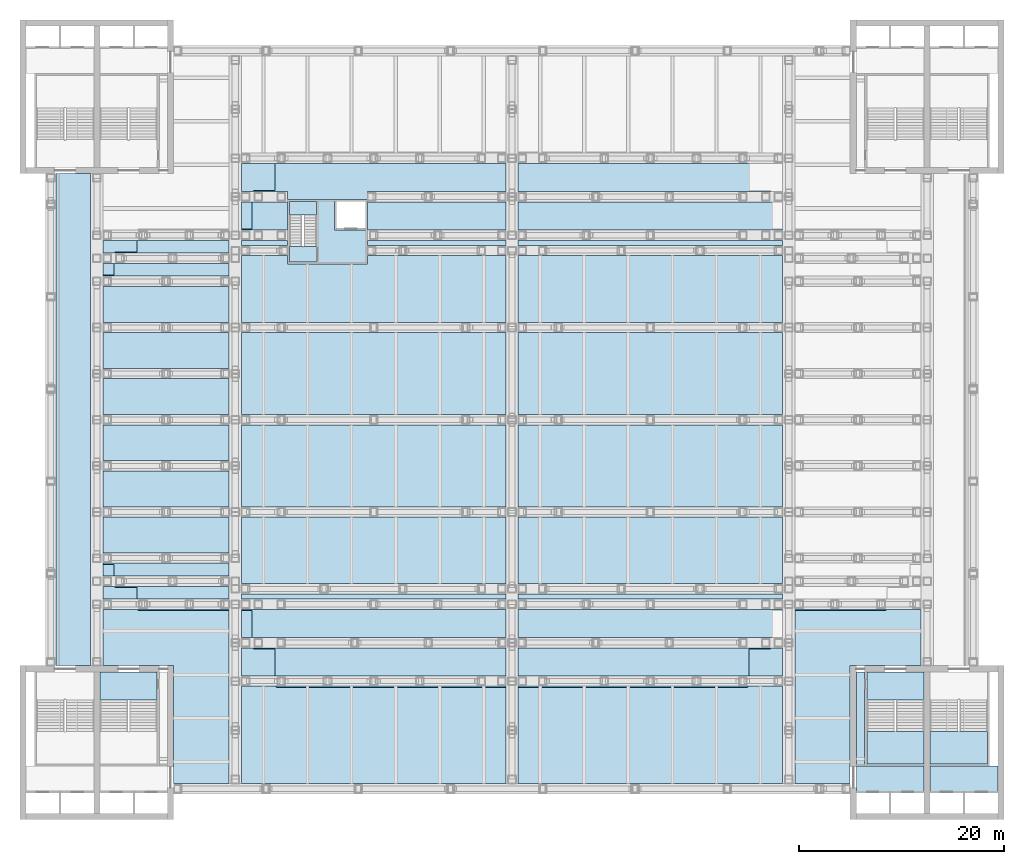
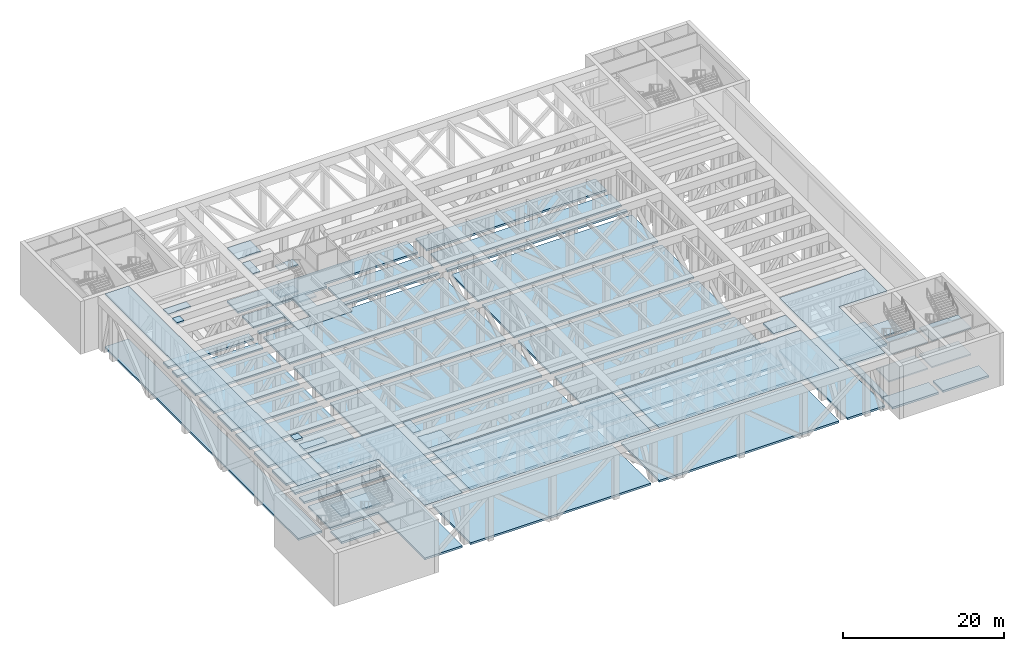
# One storey, part 6 of 20: 65 slabs, 4 elements without a shape of their own.
"""IFC4 building model written with IfcOpenShell, lengths in metres."""

from ifc_helpers import new_model, si_unit, direction, frame, origin, place, context, subcontext, project, spatial, polyline, outline, extrude, material, layer, layer_set, type_object, element, aggregate, save


model = new_model("IFC4")

# Units and contexts
model_context = context("Model", 3, precision=1e-05, world=origin(), true_north=direction((0.0, 1.0)))
body_context = subcontext(model_context, "Body", "Model", "MODEL_VIEW")
ifc_project = project(units=[si_unit("LENGTHUNIT", "METRE"), si_unit("AREAUNIT", "SQUARE_METRE"), si_unit("VOLUMEUNIT", "CUBIC_METRE"), si_unit("PLANEANGLEUNIT", "RADIAN"), si_unit("MASSUNIT", "GRAM", prefix="KILO")], contexts=[model_context])

# Site, building, storey
site_placement = place(None, origin())
site = spatial("IfcSite", under=ifc_project, at=site_placement, CompositionType="ELEMENT")
building_placement = place(site_placement, origin())
building = spatial("IfcBuilding", under=site, at=building_placement, Name="Corbelhall Arena Tower", CompositionType="ELEMENT")
storey_placement = place(building_placement, frame((0.0, 0.0, 52.0)))
storey = spatial("IfcBuildingStorey", under=building, at=storey_placement, Name="L07", CompositionType="ELEMENT", Elevation=52.0)

# Stair, slabs
ifc_material_1 = material(Name="Reinforced concrete C40/50", Category="concrete")
stair_type_1 = type_object("IfcStairType", Name="AR-EXIT-STAIR", PredefinedType="HALF_TURN_STAIR", material=ifc_material_1)
stair_1_placement = place(storey_placement, origin())
stair_1 = element("IfcStair", 1, at=stair_1_placement, inside=storey, type_object=stair_type_1, Name="L07 exit stair AS5", PredefinedType="HALF_TURN_STAIR")
ifc_layer_1 = layer(ifc_material_1, 0.199951171875)
ifc_layer_set_1 = layer_set([ifc_layer_1], Name="AR-EXIT-LANDING")
slab_type_1 = type_object("IfcSlabType", Name="AR-EXIT-LANDING", PredefinedType="LANDING", material=ifc_layer_set_1)
slab_1_placement = place(storey_placement, frame((0.0, 0.0, 1.800048828125)))
slab_1 = element("IfcSlab", 2, at=slab_1_placement, type_object=slab_type_1, Name="AS5 landing 1", PredefinedType="LANDING", context=body_context, shape_type="SweptSolid", body=[
    extrude(outline(polyline([(34.610107421875, -30.39990234375), (34.610107421875, -33.60009765625), (40.199951171875, -33.60009765625), (40.199951171875, -30.39990234375), (34.610107421875, -30.39990234375)])), origin(), (0.0, 0.0, 1.0), 0.199951171875),
])
slab_2_placement = place(storey_placement, frame((0.0, 0.0, 3.800048828125)))
slab_2 = element("IfcSlab", 3, at=slab_2_placement, type_object=slab_type_1, Name="AS5 landing 2", PredefinedType="LANDING", context=body_context, shape_type="SweptSolid", body=[
    extrude(outline(polyline([(34.610107421875, -24.60009765625), (34.610107421875, -27.320068359375), (40.199951171875, -27.320068359375), (40.199951171875, -24.60009765625), (34.610107421875, -24.60009765625)])), origin(), (0.0, 0.0, 1.0), 0.199951171875),
])
slab_3_placement = place(storey_placement, frame((0.0, 0.0, 5.800048828125)))
slab_3 = element("IfcSlab", 4, at=slab_3_placement, type_object=slab_type_1, Name="AS5 landing 3", PredefinedType="LANDING", context=body_context, shape_type="SweptSolid", body=[
    extrude(outline(polyline([(34.610107421875, -30.39990234375), (34.610107421875, -33.60009765625), (40.199951171875, -33.60009765625), (40.199951171875, -30.39990234375), (34.610107421875, -30.39990234375)])), origin(), (0.0, 0.0, 1.0), 0.199951171875),
])
aggregate(stair_1, [slab_1, slab_2, slab_3])

stair_2_placement = place(storey_placement, origin())
stair_2 = element("IfcStair", 5, at=stair_2_placement, inside=storey, type_object=stair_type_1, Name="L07 exit stair AS6", PredefinedType="HALF_TURN_STAIR")
slab_4_placement = place(storey_placement, frame((0.0, 0.0, 1.800048828125)))
slab_4 = element("IfcSlab", 6, at=slab_4_placement, type_object=slab_type_1, Name="AS6 landing 1", PredefinedType="LANDING", context=body_context, shape_type="SweptSolid", body=[
    extrude(outline(polyline([(40.800048828125, -30.39990234375), (40.800048828125, -33.60009765625), (46.389892578125, -33.60009765625), (46.389892578125, -30.39990234375), (40.800048828125, -30.39990234375)])), origin(), (0.0, 0.0, 1.0), 0.199951171875),
])
slab_5_placement = place(storey_placement, frame((0.0, 0.0, 5.800048828125)))
slab_5 = element("IfcSlab", 7, at=slab_5_placement, type_object=slab_type_1, Name="AS6 landing 3", PredefinedType="LANDING", context=body_context, shape_type="SweptSolid", body=[
    extrude(outline(polyline([(40.800048828125, -30.39990234375), (40.800048828125, -33.60009765625), (46.389892578125, -33.60009765625), (46.389892578125, -30.39990234375), (40.800048828125, -30.39990234375)])), origin(), (0.0, 0.0, 1.0), 0.199951171875),
])
aggregate(stair_2, [slab_4, slab_5])

# Stair, slab
stair_3_placement = place(storey_placement, origin())
stair_3 = element("IfcStair", 8, at=stair_3_placement, inside=storey, type_object=stair_type_1, Name="L07 exit stair AS7", PredefinedType="HALF_TURN_STAIR")
slab_6_placement = place(storey_placement, frame((0.0, 0.0, 3.800048828125)))
slab_6 = element("IfcSlab", 9, at=slab_6_placement, type_object=slab_type_1, Name="AS7 landing 2", PredefinedType="LANDING", context=body_context, shape_type="SweptSolid", body=[
    extrude(outline(polyline([(-40.199951171875, -24.60009765625), (-40.199951171875, -27.320068359375), (-34.610107421875, -27.320068359375), (-34.610107421875, -24.60009765625), (-40.199951171875, -24.60009765625)])), origin(), (0.0, 0.0, 1.0), 0.199951171875),
])
aggregate(stair_3, [slab_6])

# Slabs
ifc_layer_2 = layer(ifc_material_1, 0.300048828125)
ifc_layer_set_2 = layer_set([ifc_layer_2], Name="AR-STAIR-FLOOR")
slab_type_2 = type_object("IfcSlabType", Name="AR-STAIR-FLOOR", PredefinedType="FLOOR", material=ifc_layer_set_2)
slab_7_placement = place(storey_placement, frame((0.0, 0.0, -0.300048828125)))
element("IfcSlab", 10, at=slab_7_placement, inside=storey, type_object=slab_type_2, Name="Stair AS7 floor", PredefinedType="FLOOR", context=body_context, shape_type="SweptSolid", body=[
    extrude(outline(polyline([(-40.199951171875, -24.60009765625), (-34.610107421875, -24.60009765625), (-34.610107421875, -27.322998046875), (-40.199951171875, -27.322998046875), (-40.199951171875, -24.60009765625)])), origin(), (0.0, 0.0, 1.0), 0.300048828125),
])
slab_8_placement = place(storey_placement, frame((0.0, 0.0, -0.300048828125)))
element("IfcSlab", 11, at=slab_8_placement, inside=storey, type_object=slab_type_2, Name="Lift lobby floor SE", PredefinedType="FLOOR", context=body_context, shape_type="SweptSolid", body=[
    extrude(outline(polyline([(40.199951171875, -36.300048828125), (40.199951171875, -33.800048828125), (33.60009765625, -33.800048828125), (33.60009765625, -36.300048828125), (40.199951171875, -36.300048828125)])), origin(), (0.0, 0.0, 1.0), 0.300048828125),
])
slab_9_placement = place(storey_placement, frame((0.0, 0.0, -0.300048828125)))
element("IfcSlab", 12, at=slab_9_placement, inside=storey, type_object=slab_type_2, Name="Lift lobby floor SE", PredefinedType="FLOOR", context=body_context, shape_type="SweptSolid", body=[
    extrude(outline(polyline([(47.39990234375, -36.300048828125), (47.39990234375, -33.800048828125), (40.800048828125, -33.800048828125), (40.800048828125, -36.300048828125), (47.39990234375, -36.300048828125)])), origin(), (0.0, 0.0, 1.0), 0.300048828125),
])
slab_10_placement = place(storey_placement, frame((0.0, 0.0, -0.300048828125)))
element("IfcSlab", 13, at=slab_10_placement, inside=storey, type_object=slab_type_2, Name="Mechanical plant room 03 floor", PredefinedType="FLOOR", context=body_context, shape_type="SweptSolid", body=[
    extrude(outline(polyline([(34.409912109375, -33.699951171875), (34.409912109375, -24.60009765625), (33.60009765625, -24.60009765625), (33.60009765625, -33.699951171875), (34.409912109375, -33.699951171875)])), origin(), (0.0, 0.0, 1.0), 0.300048828125),
])
ifc_material_2 = material(Name="Concrete C40/50", Category="concrete")
ifc_layer_3 = layer(ifc_material_2, 0.300048828125)
ifc_layer_set_3 = layer_set([ifc_layer_3], Name="IN-SL-EAR")
slab_type_3 = type_object("IfcSlabType", Name="IN-SL-EAR", PredefinedType="FLOOR", material=ifc_layer_set_3)
slab_11_placement = place(storey_placement, frame((0.0, 0.0, -0.300048828125)))
element("IfcSlab", 14, at=slab_11_placement, inside=storey, type_object=slab_type_3, Name="Fire service turret floor", PredefinedType="FLOOR", context=body_context, shape_type="SweptSolid", body=[
    extrude(outline(polyline([(-21.89990234375, 15.199951171875), (-14.10009765625, 15.199951171875), (-14.10009765625, 18.5), (-17.300048828125, 18.5), (-17.300048828125, 21.5), (-21.89990234375, 21.5), (-21.89990234375, 15.199951171875)]), holes=[polyline([(-19.094970703125, 21.300048828125), (-21.695068359375, 21.300048828125), (-21.695068359375, 16.903076171875), (-19.094970703125, 16.903076171875), (-19.094970703125, 21.300048828125)])]), origin(), (0.0, 0.0, 1.0), 0.300048828125),
])

# Stair, slabs
stair_type_2 = type_object("IfcStairType", Name="IN-ST-TOWER", PredefinedType="HALF_TURN_STAIR", material=ifc_material_2)
stair_4_placement = place(storey_placement, origin())
stair_4 = element("IfcStair", 15, at=stair_4_placement, inside=storey, type_object=stair_type_2, Name="L07 Exit stair AS17", PredefinedType="HALF_TURN_STAIR")
ifc_layer_4 = layer(ifc_material_2, 0.199951171875)
ifc_layer_set_4 = layer_set([ifc_layer_4], Name="IN-SL-LANDING")
slab_type_4 = type_object("IfcSlabType", Name="IN-SL-LANDING", PredefinedType="LANDING", material=ifc_layer_set_4)
slab_12_placement = place(storey_placement, frame((0.0, 0.0, 1.800048828125)))
slab_12 = element("IfcSlab", 16, at=slab_12_placement, type_object=slab_type_4, Name="AS17 landing 1", PredefinedType="LANDING", context=body_context, shape_type="SweptSolid", body=[
    extrude(outline(polyline([(-19.094970703125, 19.97998046875), (-19.094970703125, 21.300048828125), (-21.695068359375, 21.300048828125), (-21.695068359375, 19.97998046875), (-19.094970703125, 19.97998046875)])), origin(), (0.0, 0.0, 1.0), 0.199951171875),
])
slab_13_placement = place(storey_placement, frame((0.0, 0.0, 3.800048828125)))
slab_13 = element("IfcSlab", 17, at=slab_13_placement, type_object=slab_type_4, Name="AS17 landing 2", PredefinedType="LANDING", context=body_context, shape_type="SweptSolid", body=[
    extrude(outline(polyline([(-19.094970703125, 15.39990234375), (-19.094970703125, 16.89990234375), (-21.695068359375, 16.89990234375), (-21.695068359375, 15.39990234375), (-19.094970703125, 15.39990234375)])), origin(), (0.0, 0.0, 1.0), 0.199951171875),
])
slab_14_placement = place(storey_placement, frame((0.0, 0.0, 5.800048828125)))
slab_14 = element("IfcSlab", 18, at=slab_14_placement, type_object=slab_type_4, Name="AS17 landing 3", PredefinedType="LANDING", context=body_context, shape_type="SweptSolid", body=[
    extrude(outline(polyline([(-19.094970703125, 19.97998046875), (-19.094970703125, 21.300048828125), (-21.695068359375, 21.300048828125), (-21.695068359375, 19.97998046875), (-19.094970703125, 19.97998046875)])), origin(), (0.0, 0.0, 1.0), 0.199951171875),
])
aggregate(stair_4, [slab_12, slab_13, slab_14])

# Slabs
ifc_material_3 = material(Name="Concrete C32/40", Category="concrete")
ifc_layer_5 = layer(ifc_material_3, 0.300048828125)
ifc_layer_set_5 = layer_set([ifc_layer_5], Name="PO-DECK-FLOOR")
slab_type_5 = type_object("IfcSlabType", Name="PO-DECK-FLOOR", PredefinedType="FLOOR", material=ifc_layer_set_5)
slab_15_placement = place(storey_placement, frame((0.0, 0.0, -0.300048828125)))
element("IfcSlab", 19, at=slab_15_placement, inside=storey, type_object=slab_type_5, Name="DECK MID 1", PredefinedType="FLOOR", context=body_context, shape_type="SweptSolid", body=[
    extrude(outline(polyline([(-44.5, -24.0), (-44.5, 24.0), (-41.10009765625, 24.0), (-41.10009765625, -24.0), (-44.5, -24.0)])), origin(), (0.0, 0.0, 1.0), 0.300048828125),
])
slab_16_placement = place(storey_placement, frame((0.0, 0.0, -0.300048828125)))
element("IfcSlab", 20, at=slab_16_placement, inside=storey, type_object=slab_type_5, Name="DECK MID 2", PredefinedType="FLOOR", context=body_context, shape_type="SweptSolid", body=[
    extrude(outline(polyline([(-27.60009765625, -16.25), (-27.60009765625, -17.5), (-39.89990234375, -17.5), (-39.89990234375, -16.25), (-27.60009765625, -16.25)])), origin(), (0.0, 0.0, 1.0), 0.300048828125),
])
slab_17_placement = place(storey_placement, frame((0.0, 0.0, -0.300048828125)))
element("IfcSlab", 21, at=slab_17_placement, inside=storey, type_object=slab_type_5, Name="DECK MID 3", PredefinedType="FLOOR", context=body_context, shape_type="SweptSolid", body=[
    extrude(outline(polyline([(-27.60009765625, -14.0), (-27.60009765625, -15.25), (-39.89990234375, -15.25), (-39.89990234375, -14.0), (-27.60009765625, -14.0)])), origin(), (0.0, 0.0, 1.0), 0.300048828125),
])
slab_18_placement = place(storey_placement, frame((0.0, 0.0, -0.300048828125)))
element("IfcSlab", 22, at=slab_18_placement, inside=storey, type_object=slab_type_5, Name="DECK MID 4", PredefinedType="FLOOR", context=body_context, shape_type="SweptSolid", body=[
    extrude(outline(polyline([(-27.60009765625, -9.5), (-27.60009765625, -13.0), (-39.89990234375, -13.0), (-39.89990234375, -9.5), (-27.60009765625, -9.5)])), origin(), (0.0, 0.0, 1.0), 0.300048828125),
])
slab_19_placement = place(storey_placement, frame((0.0, 0.0, -0.300048828125)))
element("IfcSlab", 23, at=slab_19_placement, inside=storey, type_object=slab_type_5, Name="DECK MID 5", PredefinedType="FLOOR", context=body_context, shape_type="SweptSolid", body=[
    extrude(outline(polyline([(-27.60009765625, -5.0), (-27.60009765625, -8.5), (-39.89990234375, -8.5), (-39.89990234375, -5.0), (-27.60009765625, -5.0)])), origin(), (0.0, 0.0, 1.0), 0.300048828125),
])
slab_20_placement = place(storey_placement, frame((0.0, 0.0, -0.300048828125)))
element("IfcSlab", 24, at=slab_20_placement, inside=storey, type_object=slab_type_5, Name="DECK MID 6", PredefinedType="FLOOR", context=body_context, shape_type="SweptSolid", body=[
    extrude(outline(polyline([(-27.60009765625, -0.5), (-27.60009765625, -4.0), (-39.89990234375, -4.0), (-39.89990234375, -0.5), (-27.60009765625, -0.5)])), origin(), (0.0, 0.0, 1.0), 0.300048828125),
])
slab_21_placement = place(storey_placement, frame((0.0, 0.0, -0.300048828125)))
element("IfcSlab", 25, at=slab_21_placement, inside=storey, type_object=slab_type_5, Name="DECK MID 7", PredefinedType="FLOOR", context=body_context, shape_type="SweptSolid", body=[
    extrude(outline(polyline([(-27.60009765625, 4.0), (-27.60009765625, 0.5), (-39.89990234375, 0.5), (-39.89990234375, 4.0), (-27.60009765625, 4.0)])), origin(), (0.0, 0.0, 1.0), 0.300048828125),
])
slab_22_placement = place(storey_placement, frame((0.0, 0.0, -0.300048828125)))
element("IfcSlab", 26, at=slab_22_placement, inside=storey, type_object=slab_type_5, Name="DECK MID 8", PredefinedType="FLOOR", context=body_context, shape_type="SweptSolid", body=[
    extrude(outline(polyline([(-27.60009765625, 8.5), (-27.60009765625, 5.0), (-39.89990234375, 5.0), (-39.89990234375, 8.5), (-27.60009765625, 8.5)])), origin(), (0.0, 0.0, 1.0), 0.300048828125),
])
slab_23_placement = place(storey_placement, frame((0.0, 0.0, -0.300048828125)))
element("IfcSlab", 27, at=slab_23_placement, inside=storey, type_object=slab_type_5, Name="DECK MID 9", PredefinedType="FLOOR", context=body_context, shape_type="SweptSolid", body=[
    extrude(outline(polyline([(-27.60009765625, 13.0), (-27.60009765625, 9.5), (-39.89990234375, 9.5), (-39.89990234375, 13.0), (-27.60009765625, 13.0)])), origin(), (0.0, 0.0, 1.0), 0.300048828125),
])
slab_24_placement = place(storey_placement, frame((0.0, 0.0, -0.300048828125)))
element("IfcSlab", 28, at=slab_24_placement, inside=storey, type_object=slab_type_5, Name="DECK MID 10", PredefinedType="FLOOR", context=body_context, shape_type="SweptSolid", body=[
    extrude(outline(polyline([(-27.60009765625, 15.25), (-27.60009765625, 14.0), (-39.89990234375, 14.0), (-39.89990234375, 15.25), (-27.60009765625, 15.25)])), origin(), (0.0, 0.0, 1.0), 0.300048828125),
])
slab_25_placement = place(storey_placement, frame((0.0, 0.0, -0.300048828125)))
element("IfcSlab", 29, at=slab_25_placement, inside=storey, type_object=slab_type_5, Name="DECK MID 11", PredefinedType="FLOOR", context=body_context, shape_type="SweptSolid", body=[
    extrude(outline(polyline([(-39.89990234375, 16.25), (-39.89990234375, 17.5), (-27.60009765625, 17.5), (-27.60009765625, 16.25), (-39.89990234375, 16.25)])), origin(), (0.0, 0.0, 1.0), 0.300048828125),
])
slab_26_placement = place(storey_placement, frame((0.0, 0.0, -0.300048828125)))
element("IfcSlab", 30, at=slab_26_placement, inside=storey, type_object=slab_type_5, Name="DECK MID 12", PredefinedType="FLOOR", context=body_context, shape_type="SweptSolid", body=[
    extrude(outline(polyline([(-27.60009765625, -18.5), (-27.60009765625, -35.5), (-33.0, -35.5), (-33.0, -24.0), (-39.89990234375, -24.0), (-39.89990234375, -18.5), (-27.60009765625, -18.5)])), origin(), (0.0, 0.0, 1.0), 0.300048828125),
])
slab_27_placement = place(storey_placement, frame((0.0, 0.0, -0.300048828125)))
element("IfcSlab", 31, at=slab_27_placement, inside=storey, type_object=slab_type_5, Name="DECK MID 14", PredefinedType="FLOOR", context=body_context, shape_type="SweptSolid", body=[
    extrude(outline(polyline([(-26.39990234375, 17.0), (-26.39990234375, 17.5), (-21.89990234375, 17.5), (-21.89990234375, 17.0), (-26.39990234375, 17.0)])), origin(), (0.0, 0.0, 1.0), 0.300048828125),
])
slab_28_placement = place(storey_placement, frame((0.0, 0.0, -0.300048828125)))
element("IfcSlab", 32, at=slab_28_placement, inside=storey, type_object=slab_type_5, Name="DECK MID 15", PredefinedType="FLOOR", context=body_context, shape_type="SweptSolid", body=[
    extrude(outline(polyline([(-26.39990234375, 18.5), (-26.39990234375, 21.25), (-21.89990234375, 21.25), (-21.89990234375, 18.5), (-26.39990234375, 18.5)])), origin(), (0.0, 0.0, 1.0), 0.300048828125),
])
slab_29_placement = place(storey_placement, frame((0.0, 0.0, -0.300048828125)))
element("IfcSlab", 33, at=slab_29_placement, inside=storey, type_object=slab_type_5, Name="DECK MID 16", PredefinedType="FLOOR", context=body_context, shape_type="SweptSolid", body=[
    extrude(outline(polyline([(-26.39990234375, 25.0), (-0.60009765625, 25.0), (-0.60009765625, 22.25), (-14.10009765625, 22.25), (-14.10009765625, 21.5), (-21.89990234375, 21.5), (-21.89990234375, 22.25), (-26.39990234375, 22.25), (-26.39990234375, 25.0)])), origin(), (0.0, 0.0, 1.0), 0.300048828125),
])
slab_30_placement = place(storey_placement, frame((0.0, 0.0, -0.300048828125)))
element("IfcSlab", 34, at=slab_30_placement, inside=storey, type_object=slab_type_5, Name="DECK MID 17", PredefinedType="FLOOR", context=body_context, shape_type="SweptSolid", body=[
    extrude(outline(polyline([(-0.60009765625, -26.0), (-0.60009765625, -35.5), (-26.39990234375, -35.5), (-26.39990234375, -26.0), (-0.60009765625, -26.0)])), origin(), (0.0, 0.0, 1.0), 0.300048828125),
])
slab_31_placement = place(storey_placement, frame((0.0, 0.0, -0.300048828125)))
element("IfcSlab", 35, at=slab_31_placement, inside=storey, type_object=slab_type_5, Name="DECK MID 18", PredefinedType="FLOOR", context=body_context, shape_type="SweptSolid", body=[
    extrude(outline(polyline([(-0.60009765625, -22.25), (-0.60009765625, -25.0), (-26.39990234375, -25.0), (-26.39990234375, -22.25), (-0.60009765625, -22.25)])), origin(), (0.0, 0.0, 1.0), 0.300048828125),
])
slab_32_placement = place(storey_placement, frame((0.0, 0.0, -0.300048828125)))
element("IfcSlab", 36, at=slab_32_placement, inside=storey, type_object=slab_type_5, Name="DECK MID 19", PredefinedType="FLOOR", context=body_context, shape_type="SweptSolid", body=[
    extrude(outline(polyline([(-0.60009765625, -18.5), (-0.60009765625, -21.25), (-26.39990234375, -21.25), (-26.39990234375, -18.5), (-0.60009765625, -18.5)])), origin(), (0.0, 0.0, 1.0), 0.300048828125),
])
slab_33_placement = place(storey_placement, frame((0.0, 0.0, -0.300048828125)))
element("IfcSlab", 37, at=slab_33_placement, inside=storey, type_object=slab_type_5, Name="DECK MID 20", PredefinedType="FLOOR", context=body_context, shape_type="SweptSolid", body=[
    extrude(outline(polyline([(-0.60009765625, -17.0), (-0.60009765625, -17.5), (-26.39990234375, -17.5), (-26.39990234375, -17.0), (-0.60009765625, -17.0)])), origin(), (0.0, 0.0, 1.0), 0.300048828125),
])
slab_34_placement = place(storey_placement, frame((0.0, 0.0, -0.300048828125)))
element("IfcSlab", 38, at=slab_34_placement, inside=storey, type_object=slab_type_5, Name="DECK MID 21", PredefinedType="FLOOR", context=body_context, shape_type="SweptSolid", body=[
    extrude(outline(polyline([(-0.60009765625, -9.5), (-0.60009765625, -16.0), (-26.39990234375, -16.0), (-26.39990234375, -9.5), (-0.60009765625, -9.5)])), origin(), (0.0, 0.0, 1.0), 0.300048828125),
])
slab_35_placement = place(storey_placement, frame((0.0, 0.0, -0.300048828125)))
element("IfcSlab", 39, at=slab_35_placement, inside=storey, type_object=slab_type_5, Name="DECK MID 22", PredefinedType="FLOOR", context=body_context, shape_type="SweptSolid", body=[
    extrude(outline(polyline([(-26.39990234375, -0.5), (-0.60009765625, -0.5), (-0.60009765625, -8.5), (-26.39990234375, -8.5), (-26.39990234375, -0.5)])), origin(), (0.0, 0.0, 1.0), 0.300048828125),
])
slab_36_placement = place(storey_placement, frame((0.0, 0.0, -0.300048828125)))
element("IfcSlab", 40, at=slab_36_placement, inside=storey, type_object=slab_type_5, Name="DECK MID 23", PredefinedType="FLOOR", context=body_context, shape_type="SweptSolid", body=[
    extrude(outline(polyline([(-26.39990234375, 8.5), (-0.60009765625, 8.5), (-0.60009765625, 0.5), (-26.39990234375, 0.5), (-26.39990234375, 8.5)])), origin(), (0.0, 0.0, 1.0), 0.300048828125),
])
slab_37_placement = place(storey_placement, frame((0.0, 0.0, -0.300048828125)))
element("IfcSlab", 41, at=slab_37_placement, inside=storey, type_object=slab_type_5, Name="DECK MID 25", PredefinedType="FLOOR", context=body_context, shape_type="SweptSolid", body=[
    extrude(outline(polyline([(-14.10009765625, 16.0), (-0.60009765625, 16.0), (-0.60009765625, 9.5), (-26.39990234375, 9.5), (-26.39990234375, 16.0), (-21.89990234375, 16.0), (-21.89990234375, 15.199951171875), (-14.10009765625, 15.199951171875), (-14.10009765625, 16.0)])), origin(), (0.0, 0.0, 1.0), 0.300048828125),
])
slab_38_placement = place(storey_placement, frame((0.0, 0.0, -0.300048828125)))
element("IfcSlab", 42, at=slab_38_placement, inside=storey, type_object=slab_type_5, Name="DECK MID 26", PredefinedType="FLOOR", context=body_context, shape_type="SweptSolid", body=[
    extrude(outline(polyline([(-14.10009765625, 17.5), (-0.60009765625, 17.5), (-0.60009765625, 17.0), (-14.10009765625, 17.0), (-14.10009765625, 17.5)])), origin(), (0.0, 0.0, 1.0), 0.300048828125),
])
slab_39_placement = place(storey_placement, frame((0.0, 0.0, -0.300048828125)))
element("IfcSlab", 43, at=slab_39_placement, inside=storey, type_object=slab_type_5, Name="DECK MID 27", PredefinedType="FLOOR", context=body_context, shape_type="SweptSolid", body=[
    extrude(outline(polyline([(-14.10009765625, 21.25), (-0.60009765625, 21.25), (-0.60009765625, 18.5), (-14.10009765625, 18.5), (-14.10009765625, 21.25)])), origin(), (0.0, 0.0, 1.0), 0.300048828125),
])
slab_40_placement = place(storey_placement, frame((0.0, 0.0, -0.300048828125)))
element("IfcSlab", 44, at=slab_40_placement, inside=storey, type_object=slab_type_5, Name="DECK MID 28", PredefinedType="FLOOR", context=body_context, shape_type="SweptSolid", body=[
    extrude(outline(polyline([(0.60009765625, -35.5), (0.60009765625, -26.0), (26.39990234375, -26.0), (26.39990234375, -35.5), (0.60009765625, -35.5)])), origin(), (0.0, 0.0, 1.0), 0.300048828125),
])
slab_41_placement = place(storey_placement, frame((0.0, 0.0, -0.300048828125)))
element("IfcSlab", 45, at=slab_41_placement, inside=storey, type_object=slab_type_5, Name="DECK MID 29", PredefinedType="FLOOR", context=body_context, shape_type="SweptSolid", body=[
    extrude(outline(polyline([(0.60009765625, -25.0), (0.60009765625, -22.25), (26.39990234375, -22.25), (26.39990234375, -25.0), (0.60009765625, -25.0)])), origin(), (0.0, 0.0, 1.0), 0.300048828125),
])
slab_42_placement = place(storey_placement, frame((0.0, 0.0, -0.300048828125)))
element("IfcSlab", 46, at=slab_42_placement, inside=storey, type_object=slab_type_5, Name="DECK MID 30", PredefinedType="FLOOR", context=body_context, shape_type="SweptSolid", body=[
    extrude(outline(polyline([(0.60009765625, -21.25), (0.60009765625, -18.5), (26.39990234375, -18.5), (26.39990234375, -21.25), (0.60009765625, -21.25)])), origin(), (0.0, 0.0, 1.0), 0.300048828125),
])
slab_43_placement = place(storey_placement, frame((0.0, 0.0, -0.300048828125)))
element("IfcSlab", 47, at=slab_43_placement, inside=storey, type_object=slab_type_5, Name="DECK MID 31", PredefinedType="FLOOR", context=body_context, shape_type="SweptSolid", body=[
    extrude(outline(polyline([(0.60009765625, -17.5), (0.60009765625, -17.0), (26.39990234375, -17.0), (26.39990234375, -17.5), (0.60009765625, -17.5)])), origin(), (0.0, 0.0, 1.0), 0.300048828125),
])
slab_44_placement = place(storey_placement, frame((0.0, 0.0, -0.300048828125)))
element("IfcSlab", 48, at=slab_44_placement, inside=storey, type_object=slab_type_5, Name="DECK MID 32", PredefinedType="FLOOR", context=body_context, shape_type="SweptSolid", body=[
    extrude(outline(polyline([(26.39990234375, -9.5), (26.39990234375, -16.0), (0.60009765625, -16.0), (0.60009765625, -9.5), (26.39990234375, -9.5)])), origin(), (0.0, 0.0, 1.0), 0.300048828125),
])
slab_45_placement = place(storey_placement, frame((0.0, 0.0, -0.300048828125)))
element("IfcSlab", 49, at=slab_45_placement, inside=storey, type_object=slab_type_5, Name="DECK MID 33", PredefinedType="FLOOR", context=body_context, shape_type="SweptSolid", body=[
    extrude(outline(polyline([(0.60009765625, -8.5), (0.60009765625, -0.5), (26.39990234375, -0.5), (26.39990234375, -8.5), (0.60009765625, -8.5)])), origin(), (0.0, 0.0, 1.0), 0.300048828125),
])
slab_46_placement = place(storey_placement, frame((0.0, 0.0, -0.300048828125)))
element("IfcSlab", 50, at=slab_46_placement, inside=storey, type_object=slab_type_5, Name="DECK MID 34", PredefinedType="FLOOR", context=body_context, shape_type="SweptSolid", body=[
    extrude(outline(polyline([(0.60009765625, 0.5), (0.60009765625, 8.5), (26.39990234375, 8.5), (26.39990234375, 0.5), (0.60009765625, 0.5)])), origin(), (0.0, 0.0, 1.0), 0.300048828125),
])
slab_47_placement = place(storey_placement, frame((0.0, 0.0, -0.300048828125)))
element("IfcSlab", 51, at=slab_47_placement, inside=storey, type_object=slab_type_5, Name="DECK MID 35", PredefinedType="FLOOR", context=body_context, shape_type="SweptSolid", body=[
    extrude(outline(polyline([(0.60009765625, 16.0), (26.39990234375, 16.0), (26.39990234375, 9.5), (0.60009765625, 9.5), (0.60009765625, 16.0)])), origin(), (0.0, 0.0, 1.0), 0.300048828125),
])
slab_48_placement = place(storey_placement, frame((0.0, 0.0, -0.300048828125)))
element("IfcSlab", 52, at=slab_48_placement, inside=storey, type_object=slab_type_5, Name="DECK MID 36", PredefinedType="FLOOR", context=body_context, shape_type="SweptSolid", body=[
    extrude(outline(polyline([(0.60009765625, 17.5), (26.39990234375, 17.5), (26.39990234375, 17.0), (0.60009765625, 17.0), (0.60009765625, 17.5)])), origin(), (0.0, 0.0, 1.0), 0.300048828125),
])
slab_49_placement = place(storey_placement, frame((0.0, 0.0, -0.300048828125)))
element("IfcSlab", 53, at=slab_49_placement, inside=storey, type_object=slab_type_5, Name="DECK MID 37", PredefinedType="FLOOR", context=body_context, shape_type="SweptSolid", body=[
    extrude(outline(polyline([(0.60009765625, 21.25), (26.39990234375, 21.25), (26.39990234375, 18.5), (0.60009765625, 18.5), (0.60009765625, 21.25)])), origin(), (0.0, 0.0, 1.0), 0.300048828125),
])
slab_50_placement = place(storey_placement, frame((0.0, 0.0, -0.300048828125)))
element("IfcSlab", 54, at=slab_50_placement, inside=storey, type_object=slab_type_5, Name="DECK MID 38", PredefinedType="FLOOR", context=body_context, shape_type="SweptSolid", body=[
    extrude(outline(polyline([(0.60009765625, 25.0), (26.39990234375, 25.0), (26.39990234375, 22.25), (0.60009765625, 22.25), (0.60009765625, 25.0)])), origin(), (0.0, 0.0, 1.0), 0.300048828125),
])
slab_51_placement = place(storey_placement, frame((0.0, 0.0, -0.300048828125)))
element("IfcSlab", 55, at=slab_51_placement, inside=storey, type_object=slab_type_5, Name="DECK MID 40", PredefinedType="FLOOR", context=body_context, shape_type="SweptSolid", body=[
    extrude(outline(polyline([(27.60009765625, -35.5), (27.60009765625, -18.5), (39.89990234375, -18.5), (39.89990234375, -24.0), (33.0, -24.0), (33.0, -35.5), (27.60009765625, -35.5)])), origin(), (0.0, 0.0, 1.0), 0.300048828125),
])
ifc_layer_6 = layer(ifc_material_3, 0.300048828125)
ifc_layer_set_6 = layer_set([ifc_layer_6], Name="PO-DECK-ROOF")
slab_type_6 = type_object("IfcSlabType", Name="PO-DECK-ROOF", PredefinedType="ROOF", material=ifc_layer_set_6)
slab_52_placement = place(storey_placement, frame((0.0, 0.0, 7.699951171875)))
element("IfcSlab", 56, at=slab_52_placement, inside=storey, type_object=slab_type_6, Name="DECK TOP 1", PredefinedType="ROOF", context=body_context, shape_type="SweptSolid", body=[
    extrude(outline(polyline([(-44.5, 24.0), (-41.10009765625, 24.0), (-41.10009765625, 13.949951171875), (-41.10009765625, -13.949951171875), (-41.10009765625, -24.0), (-44.5, -24.0), (-44.5, 24.0)])), origin(), (0.0, 0.0, 1.0), 0.300048828125),
])
slab_53_placement = place(storey_placement, frame((0.0, 0.0, 7.699951171875)))
element("IfcSlab", 57, at=slab_53_placement, inside=storey, type_object=slab_type_6, Name="DECK TOP 2", PredefinedType="ROOF", context=body_context, shape_type="SweptSolid", body=[
    extrude(outline(polyline([(-39.89990234375, -17.5), (-39.89990234375, -16.25), (-38.800048828125, -16.25), (-38.699951171875, -16.35009765625), (-36.60009765625, -16.35009765625), (-36.60009765625, -17.5), (-39.89990234375, -17.5)])), origin(), (0.0, 0.0, 1.0), 0.300048828125),
])
slab_54_placement = place(storey_placement, frame((0.0, 0.0, 7.699951171875)))
element("IfcSlab", 58, at=slab_54_placement, inside=storey, type_object=slab_type_6, Name="DECK TOP 3", PredefinedType="ROOF", context=body_context, shape_type="SweptSolid", body=[
    extrude(outline(polyline([(-39.89990234375, -15.25), (-39.89990234375, -14.10009765625), (-38.85009765625, -14.10009765625), (-38.85009765625, -15.25), (-39.89990234375, -15.25)])), origin(), (0.0, 0.0, 1.0), 0.300048828125),
])
slab_55_placement = place(storey_placement, frame((0.0, 0.0, 7.699951171875)))
element("IfcSlab", 59, at=slab_55_placement, inside=storey, type_object=slab_type_6, Name="DECK TOP 10", PredefinedType="ROOF", context=body_context, shape_type="SweptSolid", body=[
    extrude(outline(polyline([(-39.89990234375, 15.25), (-38.85009765625, 15.25), (-38.85009765625, 14.10009765625), (-39.89990234375, 14.10009765625), (-39.89990234375, 15.25)])), origin(), (0.0, 0.0, 1.0), 0.300048828125),
])
slab_56_placement = place(storey_placement, frame((0.0, 0.0, 7.699951171875)))
element("IfcSlab", 60, at=slab_56_placement, inside=storey, type_object=slab_type_6, Name="DECK TOP 11", PredefinedType="ROOF", context=body_context, shape_type="SweptSolid", body=[
    extrude(outline(polyline([(-39.89990234375, 17.5), (-36.60009765625, 17.5), (-36.60009765625, 16.35009765625), (-38.699951171875, 16.35009765625), (-38.800048828125, 16.25), (-39.89990234375, 16.25), (-39.89990234375, 17.5)])), origin(), (0.0, 0.0, 1.0), 0.300048828125),
])
slab_57_placement = place(storey_placement, frame((0.0, 0.0, 7.699951171875)))
element("IfcSlab", 61, at=slab_57_placement, inside=storey, type_object=slab_type_6, Name="DECK TOP 12", PredefinedType="ROOF", context=body_context, shape_type="SweptSolid", body=[
    extrude(outline(polyline([(-27.60009765625, -35.5), (-33.0, -35.5), (-33.0, -24.0), (-39.89990234375, -24.0), (-39.89990234375, -18.5), (-36.550048828125, -18.5), (-36.449951171875, -18.60009765625), (-27.60009765625, -18.60009765625), (-27.60009765625, -35.5)])), origin(), (0.0, 0.0, 1.0), 0.300048828125),
])
slab_58_placement = place(storey_placement, frame((0.0, 0.0, 7.699951171875)))
element("IfcSlab", 62, at=slab_58_placement, inside=storey, type_object=slab_type_6, Name="DECK TOP 15", PredefinedType="ROOF", context=body_context, shape_type="SweptSolid", body=[
    extrude(outline(polyline([(-26.39990234375, 21.25), (-25.35009765625, 21.25), (-25.35009765625, 18.60009765625), (-26.39990234375, 18.60009765625), (-26.39990234375, 21.25)])), origin(), (0.0, 0.0, 1.0), 0.300048828125),
])
slab_59_placement = place(storey_placement, frame((0.0, 0.0, 7.699951171875)))
element("IfcSlab", 63, at=slab_59_placement, inside=storey, type_object=slab_type_6, Name="DECK TOP 16", PredefinedType="ROOF", context=body_context, shape_type="SweptSolid", body=[
    extrude(outline(polyline([(-23.10009765625, 25.0), (-23.10009765625, 22.35009765625), (-25.199951171875, 22.35009765625), (-25.300048828125, 22.25), (-26.39990234375, 22.25), (-26.39990234375, 25.0), (-23.10009765625, 25.0)])), origin(), (0.0, 0.0, 1.0), 0.300048828125),
])
slab_60_placement = place(storey_placement, frame((0.0, 0.0, 7.699951171875)))
element("IfcSlab", 64, at=slab_60_placement, inside=storey, type_object=slab_type_6, Name="DECK TOP 17", PredefinedType="ROOF", context=body_context, shape_type="SweptSolid", body=[
    extrude(outline(polyline([(-0.60009765625, -35.5), (-26.39990234375, -35.5), (-26.39990234375, -26.0), (-23.050048828125, -26.0), (-22.949951171875, -26.10009765625), (-0.60009765625, -26.10009765625), (-0.60009765625, -35.5)])), origin(), (0.0, 0.0, 1.0), 0.300048828125),
])
slab_61_placement = place(storey_placement, frame((0.0, 0.0, 7.699951171875)))
element("IfcSlab", 65, at=slab_61_placement, inside=storey, type_object=slab_type_6, Name="DECK TOP 18", PredefinedType="ROOF", context=body_context, shape_type="SweptSolid", body=[
    extrude(outline(polyline([(-26.39990234375, -25.0), (-26.39990234375, -22.25), (-25.300048828125, -22.25), (-25.199951171875, -22.35009765625), (-23.10009765625, -22.35009765625), (-23.10009765625, -25.0), (-26.39990234375, -25.0)])), origin(), (0.0, 0.0, 1.0), 0.300048828125),
])
slab_62_placement = place(storey_placement, frame((0.0, 0.0, 7.699951171875)))
element("IfcSlab", 66, at=slab_62_placement, inside=storey, type_object=slab_type_6, Name="DECK TOP 19", PredefinedType="ROOF", context=body_context, shape_type="SweptSolid", body=[
    extrude(outline(polyline([(-26.39990234375, -21.25), (-26.39990234375, -18.60009765625), (-25.35009765625, -18.60009765625), (-25.35009765625, -21.25), (-26.39990234375, -21.25)])), origin(), (0.0, 0.0, 1.0), 0.300048828125),
])
slab_63_placement = place(storey_placement, frame((0.0, 0.0, 7.699951171875)))
element("IfcSlab", 67, at=slab_63_placement, inside=storey, type_object=slab_type_6, Name="DECK TOP 28", PredefinedType="ROOF", context=body_context, shape_type="SweptSolid", body=[
    extrude(outline(polyline([(0.60009765625, -26.10009765625), (22.949951171875, -26.10009765625), (23.050048828125, -26.0), (26.39990234375, -26.0), (26.39990234375, -35.5), (0.60009765625, -35.5), (0.60009765625, -26.10009765625)])), origin(), (0.0, 0.0, 1.0), 0.300048828125),
])
slab_64_placement = place(storey_placement, frame((0.0, 0.0, 7.699951171875)))
element("IfcSlab", 68, at=slab_64_placement, inside=storey, type_object=slab_type_6, Name="DECK TOP 29", PredefinedType="ROOF", context=body_context, shape_type="SweptSolid", body=[
    extrude(outline(polyline([(26.39990234375, -22.25), (26.39990234375, -25.0), (23.10009765625, -25.0), (23.10009765625, -22.35009765625), (25.199951171875, -22.35009765625), (25.300048828125, -22.25), (26.39990234375, -22.25)])), origin(), (0.0, 0.0, 1.0), 0.300048828125),
])
slab_65_placement = place(storey_placement, frame((0.0, 0.0, 7.699951171875)))
element("IfcSlab", 69, at=slab_65_placement, inside=storey, type_object=slab_type_6, Name="DECK TOP 40", PredefinedType="ROOF", context=body_context, shape_type="SweptSolid", body=[
    extrude(outline(polyline([(27.60009765625, -18.60009765625), (36.449951171875, -18.60009765625), (36.550048828125, -18.5), (39.89990234375, -18.5), (39.89990234375, -24.0), (33.0, -24.0), (33.0, -35.5), (27.60009765625, -35.5), (27.60009765625, -18.60009765625)])), origin(), (0.0, 0.0, 1.0), 0.300048828125),
])

save(model, "model.ifc")
